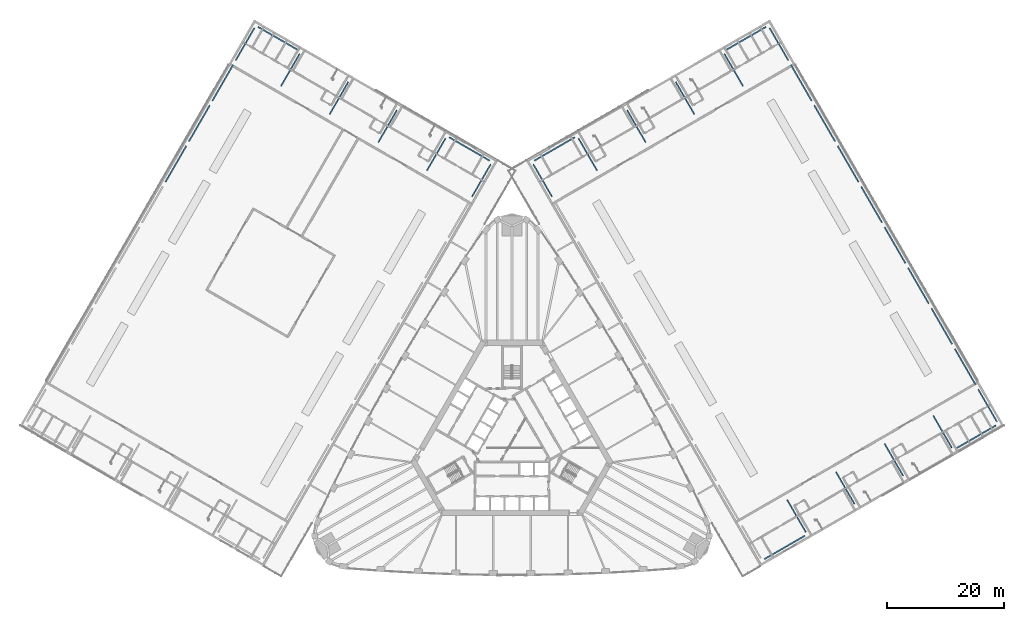
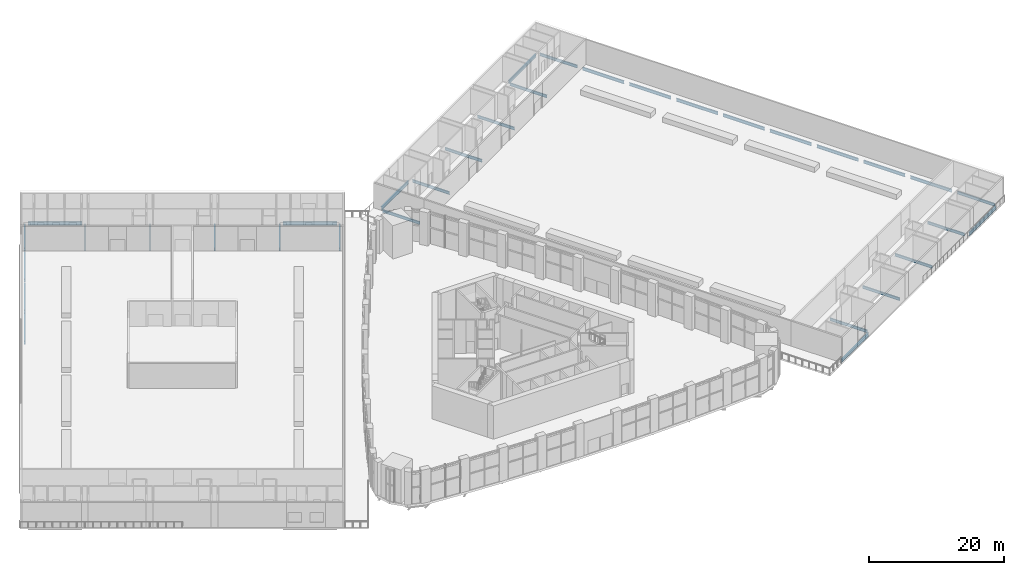
# One storey, part 14 of 41: 34 beams.
"""IFC4 building model written with IfcOpenShell, lengths in metres."""

from ifc_helpers import new_model, si_unit, direction, frame, origin, origin_2d, place, context, subcontext, project, spatial, i_section, extrude, material, material_profile, profile_set, type_object, element, save


model = new_model("IFC4")

# Units and contexts
model_context = context("Model", 3, precision=1e-05, world=origin(), true_north=direction((0.0, 1.0)))
body_context = subcontext(model_context, "Body", "Model", "MODEL_VIEW")
ifc_project = project(units=[si_unit("LENGTHUNIT", "METRE"), si_unit("AREAUNIT", "SQUARE_METRE"), si_unit("VOLUMEUNIT", "CUBIC_METRE"), si_unit("PLANEANGLEUNIT", "RADIAN"), si_unit("MASSUNIT", "GRAM", prefix="KILO")], contexts=[model_context])

# Site, building, storey
site_placement = place(None, origin())
site = spatial("IfcSite", under=ifc_project, at=site_placement, CompositionType="ELEMENT")
building_placement = place(site_placement, origin())
building = spatial("IfcBuilding", under=site, at=building_placement, Name="Mestral Congress Tower", CompositionType="ELEMENT")
storey_placement = place(building_placement, frame((0.0, 0.0, 21.60009765625)))
storey = spatial("IfcBuildingStorey", under=building, at=storey_placement, Name="L04", CompositionType="ELEMENT", Elevation=21.60009765625)

# Beams
ifc_material = material(Name="Steel S355", Category="steel")
ifc_material_profile_1 = material_profile(ifc_material, i_section(OverallWidth=0.199951171875, OverallDepth=0.5, WebThickness=0.01025390625, FlangeThickness=0.01611328125, FilletRadius=0.02099609375, at=origin_2d()), Name="IPE 500")
ifc_profile_set_1 = profile_set([ifc_material_profile_1], Name="Steel S355")
beam_type_1 = type_object("IfcBeamType", Name="Floor beam IPE 500 S355", PredefinedType="BEAM", material=ifc_profile_set_1)
beam_1_placement = place(storey_placement, frame((6.83544921875, 41.41650390625, -0.550048828125), z_axis=(-0.499999833739, 0.866025499775, 0.0), x_axis=(-0.866025499775, -0.499999833739, 0.0)))
element("IfcBeam", 1, at=beam_1_placement, inside=storey, type_object=beam_type_1, Name="BM-L04-E-U10A", PredefinedType="BEAM", context=body_context, shape_type="SweptSolid", body=[
    extrude(i_section(OverallWidth=0.199951171875, OverallDepth=0.5, WebThickness=0.01025390625, FlangeThickness=0.01611328125, FilletRadius=0.02099609375, at=origin_2d()), origin(), (0.0, 0.0, 1.0), 6.39990234375),
])
for number, where, z_axis, x_axis, name in (
    (2, (50.193115234375, -15.881103515625, -0.550048828125), (-0.500005339912, 0.866022320763, 0.0), (-0.866022320763, -0.500005339912, 0.0), "BM-L04-E-U01B"),
    (3, (14.51806640625, 45.909912109375, -0.550048828125), (-0.500005339912, 0.866022320763, 0.0), (-0.866022320763, -0.500005339912, 0.0), "BM-L04-E-U10B"),
    (4, (58.507080078125, -11.0810546875, -0.550048828125), (-0.500005339912, 0.866022320763, 0.0), (-0.866022320763, -0.500005339912, 0.0), "BM-L04-E-U01C"),
    (5, (22.83203125, 50.709716796875, -0.550048828125), (-0.500005339912, 0.866022320763, 0.0), (-0.866022320763, -0.500005339912, 0.0), "BM-L04-E-U10C"),
    (6, (66.82080078125, -6.281005859375, -0.550048828125), (-0.500005339912, 0.866022320763, 0.0), (-0.866022320763, -0.500005339912, 0.0), "BM-L04-E-U01D"),
    (7, (31.145751953125, 55.509765625, -0.550048828125), (-0.500005339912, 0.866022320763, 0.0), (-0.866022320763, -0.500005339912, 0.0), "BM-L04-E-U10D"),
):
    element("IfcBeam", number, at=place(storey_placement, frame(where, z_axis=z_axis, x_axis=x_axis)), inside=storey, type_object=beam_type_1, Name=name, PredefinedType="BEAM", context=body_context, shape_type="SweptSolid", body=[
        extrude(i_section(OverallWidth=0.199951171875, OverallDepth=0.5, WebThickness=0.01025390625, FlangeThickness=0.01611328125, FilletRadius=0.02099609375, at=origin_2d()), origin(), (0.0, 0.0, 1.0), 6.35009765625),
    ])
beam_2_placement = place(storey_placement, frame((75.134765625, -1.481201171875, -0.550048828125), z_axis=(-0.499988692146, 0.866031932279, 0.0), x_axis=(-0.866031932279, -0.499988692146, 0.0)))
element("IfcBeam", 8, at=beam_2_placement, inside=storey, type_object=beam_type_1, Name="BM-L04-E-U01E", PredefinedType="BEAM", context=body_context, shape_type="SweptSolid", body=[
    extrude(i_section(OverallWidth=0.199951171875, OverallDepth=0.5, WebThickness=0.01025390625, FlangeThickness=0.01611328125, FilletRadius=0.02099609375, at=origin_2d()), origin(), (0.0, 0.0, 1.0), 6.350341796875),
])
beam_3_placement = place(storey_placement, frame((39.459716796875, 60.309814453125, -0.550048828125), z_axis=(-0.500005339912, 0.866022320763, 0.0), x_axis=(-0.866022320763, -0.500005339912, 0.0)))
element("IfcBeam", 9, at=beam_3_placement, inside=storey, type_object=beam_type_1, Name="BM-L04-E-U10E", PredefinedType="BEAM", context=body_context, shape_type="SweptSolid", body=[
    extrude(i_section(OverallWidth=0.199951171875, OverallDepth=0.5, WebThickness=0.01025390625, FlangeThickness=0.01611328125, FilletRadius=0.02099609375, at=origin_2d()), origin(), (0.0, 0.0, 1.0), 6.35009765625),
])
beam_4_placement = place(storey_placement, frame((82.84228515625, 2.968994140625, -0.550048828125), z_axis=(-0.499999833739, 0.866025499775, 0.0), x_axis=(-0.866025499775, -0.499999833739, 0.0)))
element("IfcBeam", 10, at=beam_4_placement, inside=storey, type_object=beam_type_1, Name="BM-L04-E-U01F", PredefinedType="BEAM", context=body_context, shape_type="SweptSolid", body=[
    extrude(i_section(OverallWidth=0.199951171875, OverallDepth=0.5, WebThickness=0.01025390625, FlangeThickness=0.01611328125, FilletRadius=0.02099609375, at=origin_2d()), origin(), (0.0, 0.0, 1.0), 6.39990234375),
])
beam_5_placement = place(storey_placement, frame((47.1923828125, 64.716552734375, -0.550048828125), z_axis=(-0.500028443584, 0.866008981251, 0.0), x_axis=(-0.866008981251, -0.500028443584, 0.0)))
element("IfcBeam", 11, at=beam_5_placement, inside=storey, type_object=beam_type_1, Name="BM-L04-E-U10F", PredefinedType="BEAM", context=body_context, shape_type="SweptSolid", body=[
    extrude(i_section(OverallWidth=0.199951171875, OverallDepth=0.5, WebThickness=0.01025390625, FlangeThickness=0.01611328125, FilletRadius=0.02099609375, at=origin_2d()), origin(), (0.0, 0.0, 1.0), 6.400146484375),
])
beam_6_placement = place(storey_placement, frame((-3.635498046875, 46.958984375, -0.550048828125), z_axis=(-0.499999833739, -0.866025499775, 0.0), x_axis=(0.866025499775, -0.499999833739, 0.0)))
element("IfcBeam", 12, at=beam_6_placement, inside=storey, type_object=beam_type_1, Name="BM-L04-W-U01A", PredefinedType="BEAM", context=body_context, shape_type="SweptSolid", body=[
    extrude(i_section(OverallWidth=0.199951171875, OverallDepth=0.5, WebThickness=0.01025390625, FlangeThickness=0.01611328125, FilletRadius=0.02099609375, at=origin_2d()), origin(), (0.0, 0.0, 1.0), 6.39990234375),
])
for number, where, z_axis, x_axis, name in (
    (13, (-11.343017578125, 51.4091796875, -0.550048828125), (-0.500005339912, -0.866022320763, 0.0), (0.866022320763, -0.500005339912, 0.0), "BM-L04-W-U01B"),
    (14, (-19.656982421875, 56.208984375, -0.550048828125), (-0.500005339912, -0.866022320763, 0.0), (0.866022320763, -0.500005339912, 0.0), "BM-L04-W-U01C"),
    (15, (-27.970703125, 61.009033203125, -0.550048828125), (-0.500005339912, -0.866022320763, 0.0), (0.866022320763, -0.500005339912, 0.0), "BM-L04-W-U01D"),
    (16, (-36.28466796875, 65.80908203125, -0.550048828125), (-0.500005339912, -0.866022320763, 0.0), (0.866022320763, -0.500005339912, 0.0), "BM-L04-W-U01E"),
):
    element("IfcBeam", number, at=place(storey_placement, frame(where, z_axis=z_axis, x_axis=x_axis)), inside=storey, type_object=beam_type_1, Name=name, PredefinedType="BEAM", context=body_context, shape_type="SweptSolid", body=[
        extrude(i_section(OverallWidth=0.199951171875, OverallDepth=0.5, WebThickness=0.01025390625, FlangeThickness=0.01611328125, FilletRadius=0.02099609375, at=origin_2d()), origin(), (0.0, 0.0, 1.0), 6.35009765625),
    ])
beam_7_placement = place(storey_placement, frame((-43.9921875, 70.259033203125, -0.550048828125), z_axis=(-0.500028443584, -0.866008981251, 0.0), x_axis=(0.866008981251, -0.500028443584, 0.0)))
element("IfcBeam", 17, at=beam_7_placement, inside=storey, type_object=beam_type_1, Name="BM-L04-W-U01F", PredefinedType="BEAM", context=body_context, shape_type="SweptSolid", body=[
    extrude(i_section(OverallWidth=0.199951171875, OverallDepth=0.5, WebThickness=0.01025390625, FlangeThickness=0.01611328125, FilletRadius=0.02099609375, at=origin_2d()), origin(), (0.0, 0.0, 1.0), 6.400146484375),
])
ifc_material_profile_2 = material_profile(ifc_material, i_section(OverallWidth=0.2099609375, OverallDepth=0.550048828125, WebThickness=0.010986328125, FlangeThickness=0.01708984375, FilletRadius=0.02392578125, at=origin_2d()), Name="IPE 550")
ifc_profile_set_2 = profile_set([ifc_material_profile_2], Name="Steel S355")
beam_type_2 = type_object("IfcBeamType", Name="Floor beam IPE 550 S355", PredefinedType="BEAM", material=ifc_profile_set_2)
beam_8_placement = place(storey_placement, frame((79.1923828125, 9.291015625, -0.5751953125), z_axis=(-0.500011179042, 0.866018949465, 0.0), x_axis=(-0.866018949465, -0.500011179042, 0.0)))
element("IfcBeam", 18, at=beam_8_placement, inside=storey, type_object=beam_type_2, Name="BM-L04-E-U02F", PredefinedType="BEAM", context=body_context, shape_type="SweptSolid", body=[
    extrude(i_section(OverallWidth=0.2099609375, OverallDepth=0.550048828125, WebThickness=0.010986328125, FlangeThickness=0.01708984375, FilletRadius=0.02392578125, at=origin_2d()), origin(), (0.0, 0.0, 1.0), 7.099853515625),
])
for number, where, z_axis, x_axis, name in (
    (19, (75.1923828125, 16.218994140625, -0.5751953125), (-0.499996289485, 0.866027546041, 0.0), (-0.866027546041, -0.499996289485, 0.0), "BM-L04-E-U03F"),
    (20, (71.1923828125, 23.147216796875, -0.5751953125), (-0.499996289485, 0.866027546041, 0.0), (-0.866027546041, -0.499996289485, 0.0), "BM-L04-E-U04F"),
    (21, (67.1923828125, 30.075439453125, -0.5751953125), (-0.499996289485, 0.866027546041, 0.0), (-0.866027546041, -0.499996289485, 0.0), "BM-L04-E-U05F"),
    (22, (63.1923828125, 37.003662109375, -0.5751953125), (-0.499996289485, 0.866027546041, 0.0), (-0.866027546041, -0.499996289485, 0.0), "BM-L04-E-U06F"),
    (23, (59.1923828125, 43.931884765625, -0.5751953125), (-0.499996289485, 0.866027546041, 0.0), (-0.866027546041, -0.499996289485, 0.0), "BM-L04-E-U07F"),
):
    element("IfcBeam", number, at=place(storey_placement, frame(where, z_axis=z_axis, x_axis=x_axis)), inside=storey, type_object=beam_type_2, Name=name, PredefinedType="BEAM", context=body_context, shape_type="SweptSolid", body=[
        extrude(i_section(OverallWidth=0.2099609375, OverallDepth=0.550048828125, WebThickness=0.010986328125, FlangeThickness=0.01708984375, FilletRadius=0.02392578125, at=origin_2d()), origin(), (0.0, 0.0, 1.0), 7.10009765625),
    ])
for number, where, z_axis, x_axis, name in (
    (24, (55.1923828125, 50.860107421875, -0.5751953125), (-0.500011179042, 0.866018949465, 0.0), (-0.866018949465, -0.500011179042, 0.0), "BM-L04-E-U08F"),
    (25, (51.1923828125, 57.788330078125, -0.5751953125), (-0.500011179042, 0.866018949465, 0.0), (-0.866018949465, -0.500011179042, 0.0), "BM-L04-E-U09F"),
    (26, (-47.642333984375, 63.93701171875, -0.5751953125), (-0.500011179042, -0.866018949465, 0.0), (0.866018949465, -0.500011179042, 0.0), "BM-L04-W-U02F"),
    (27, (-51.642333984375, 57.0087890625, -0.5751953125), (-0.500011179042, -0.866018949465, 0.0), (0.866018949465, -0.500011179042, 0.0), "BM-L04-W-U03F"),
):
    element("IfcBeam", number, at=place(storey_placement, frame(where, z_axis=z_axis, x_axis=x_axis)), inside=storey, type_object=beam_type_2, Name=name, PredefinedType="BEAM", context=body_context, shape_type="SweptSolid", body=[
        extrude(i_section(OverallWidth=0.2099609375, OverallDepth=0.550048828125, WebThickness=0.010986328125, FlangeThickness=0.01708984375, FilletRadius=0.02392578125, at=origin_2d()), origin(), (0.0, 0.0, 1.0), 7.099853515625),
    ])
beam_9_placement = place(storey_placement, frame((-55.642333984375, 50.080810546875, -0.5751953125), z_axis=(-0.499996289485, -0.866027546041, 0.0), x_axis=(0.866027546041, -0.499996289485, 0.0)))
element("IfcBeam", 28, at=beam_9_placement, inside=storey, type_object=beam_type_2, Name="BM-L04-W-U04F", PredefinedType="BEAM", context=body_context, shape_type="SweptSolid", body=[
    extrude(i_section(OverallWidth=0.2099609375, OverallDepth=0.550048828125, WebThickness=0.010986328125, FlangeThickness=0.01708984375, FilletRadius=0.02392578125, at=origin_2d()), origin(), (0.0, 0.0, 1.0), 7.10009765625),
])
ifc_material_profile_3 = material_profile(ifc_material, i_section(OverallWidth=0.219970703125, OverallDepth=0.60009765625, WebThickness=0.011962890625, FlangeThickness=0.01904296875, FilletRadius=0.02392578125, at=origin_2d()), Name="IPE 600")
ifc_profile_set_3 = profile_set([ifc_material_profile_3], Name="Steel S355")
beam_type_3 = type_object("IfcBeamType", Name="Floor beam IPE 600 S355", PredefinedType="BEAM", material=ifc_profile_set_3)
beam_10_placement = place(storey_placement, frame((43.10009765625, -20.495849609375, -0.60009765625), z_axis=(0.866026010844, 0.49999894854, 0.0), x_axis=(-0.49999894854, 0.866026010844, 0.0)))
element("IfcBeam", 29, at=beam_10_placement, inside=storey, type_object=beam_type_3, Name="BM-L04-E-V01A", PredefinedType="BEAM", context=body_context, shape_type="SweptSolid", body=[
    extrude(i_section(OverallWidth=0.219970703125, OverallDepth=0.60009765625, WebThickness=0.011962890625, FlangeThickness=0.01904296875, FilletRadius=0.02392578125, at=origin_2d()), origin(), (0.0, 0.0, 1.0), 8.0),
])
beam_11_placement = place(storey_placement, frame((75.74951171875, -1.645751953125, -0.60009765625), z_axis=(0.866018381195, 0.500012163284, 0.0), x_axis=(-0.500012163284, 0.866018381195, 0.0)))
element("IfcBeam", 30, at=beam_11_placement, inside=storey, type_object=beam_type_3, Name="BM-L04-E-V01E", PredefinedType="BEAM", context=body_context, shape_type="SweptSolid", body=[
    extrude(i_section(OverallWidth=0.219970703125, OverallDepth=0.60009765625, WebThickness=0.011962890625, FlangeThickness=0.01904296875, FilletRadius=0.02392578125, at=origin_2d()), origin(), (0.0, 0.0, 1.0), 7.999755859375),
])
for number, where, z_axis, x_axis, name in (
    (31, (3.80029296875, 47.57373046875, -0.60009765625), (0.866026010844, 0.49999894854, 0.0), (-0.49999894854, 0.866026010844, 0.0), "BM-L04-E-V11A"),
    (32, (36.449462890625, 66.423828125, -0.60009765625), (0.866026010844, 0.49999894854, 0.0), (-0.49999894854, 0.866026010844, 0.0), "BM-L04-E-V11E"),
    (33, (-3.80029296875, 47.57373046875, -0.60009765625), (-0.866026010844, 0.49999894854, 0.0), (-0.49999894854, -0.866026010844, 0.0), "BM-L04-W-V01A"),
    (34, (-36.449462890625, 66.423828125, -0.60009765625), (-0.866026010844, 0.49999894854, 0.0), (-0.49999894854, -0.866026010844, 0.0), "BM-L04-W-V01E"),
):
    element("IfcBeam", number, at=place(storey_placement, frame(where, z_axis=z_axis, x_axis=x_axis)), inside=storey, type_object=beam_type_3, Name=name, PredefinedType="BEAM", context=body_context, shape_type="SweptSolid", body=[
        extrude(i_section(OverallWidth=0.219970703125, OverallDepth=0.60009765625, WebThickness=0.011962890625, FlangeThickness=0.01904296875, FilletRadius=0.02392578125, at=origin_2d()), origin(), (0.0, 0.0, 1.0), 8.0),
    ])

save(model, "model.ifc")
